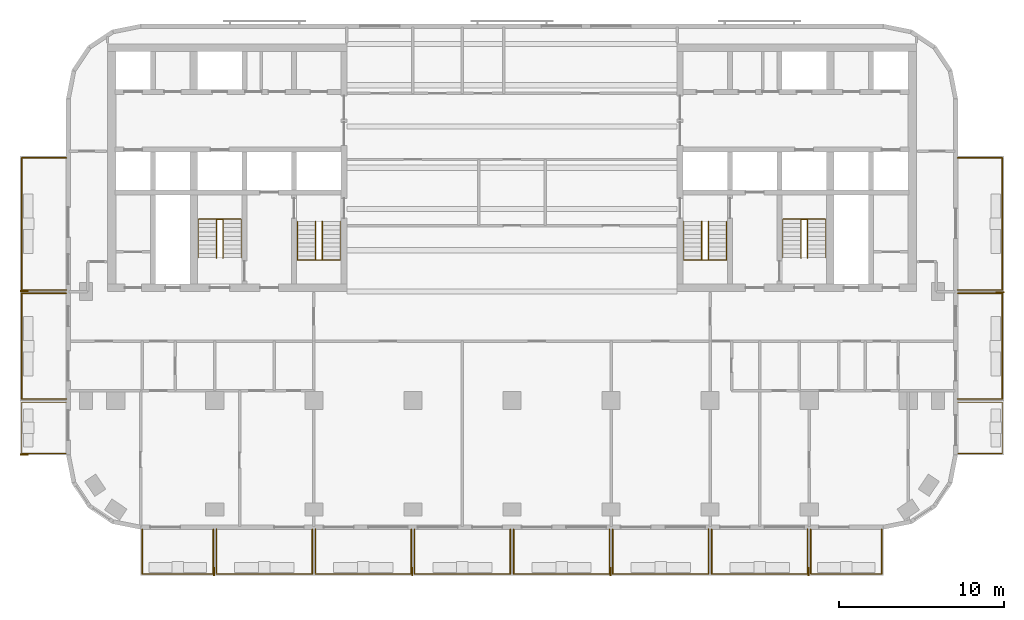
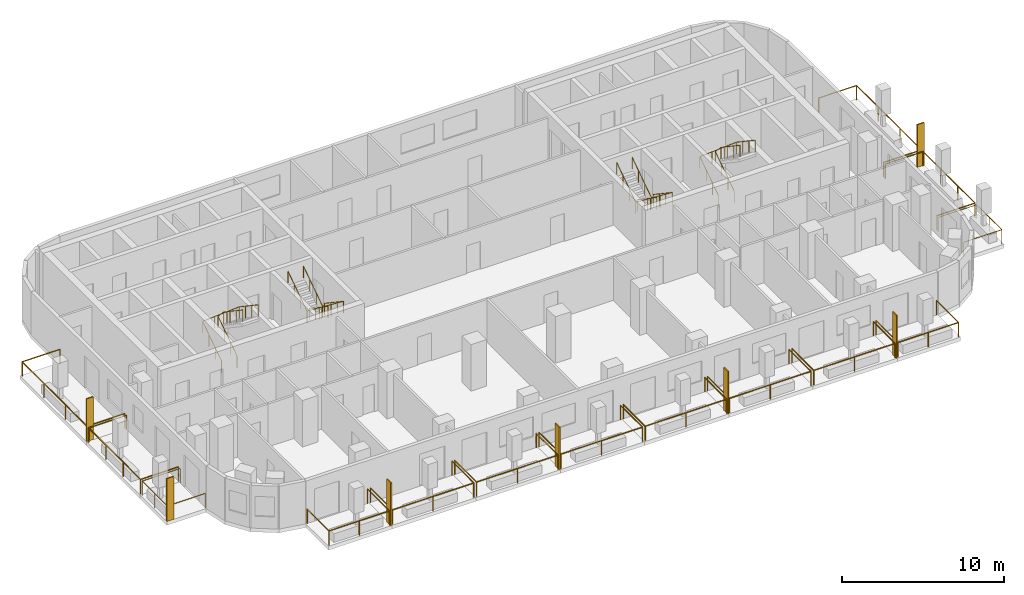
# One storey, part 9 of 11: 22 railings, 7 shading devices.
"""IFC4 building model written with IfcOpenShell, lengths in metres."""

import ifcopenshell
import ifcopenshell.guid

model = None  # the IFC model being written
_history = None  # IfcOwnerHistory: only IFC2X3 demands one
_inside = {}  # id of a spatial element -> (the spatial element, [elements in it])
_under = {}  # id of a project, library or spatial element -> (it, [spatial elements below it])
_declared = {}  # id of a project -> (the project, [libraries it declares])
_typed = {}  # id of a type object -> (the type object, [elements of that type])
_made_of = {}  # id of a material, layer set ... -> (it, [elements and type objects made of it])


def new_model(schema):
    """Start an empty IFC model of exactly this schema.

    Asked for "IFC4X3", IfcOpenShell would pick the latest addendum, in which some entities
    have other attributes; the version numbers below select the first issue.
    IFC2X3 requires an IfcOwnerHistory on every rooted entity: one is made here for all.
    """
    global model, _history
    if schema == "IFC4X3":
        model = ifcopenshell.file(schema_version=(4, 3, 0, 0))
    else:
        model = ifcopenshell.file(schema=schema)
    _inside.clear()
    _under.clear()
    _declared.clear()
    _typed.clear()
    _made_of.clear()
    _history = None
    if model.schema == "IFC2X3":
        org = make("IfcOrganization", Name="unknown")
        user = make(
            "IfcPersonAndOrganization",
            ThePerson=make("IfcPerson", FamilyName="unknown"),
            TheOrganization=org,
        )
        app = make(
            "IfcApplication",
            ApplicationDeveloper=org,
            Version="unknown",
            ApplicationFullName="unknown",
            ApplicationIdentifier="unknown",
        )
        _history = make(
            "IfcOwnerHistory",
            OwningUser=user,
            OwningApplication=app,
            ChangeAction="ADDED",
            CreationDate=0,
        )
    return model


def make(cls, **values):
    """One entity of the class cls with the attributes given. An attribute that is None is left unset."""
    return model.create_entity(
        cls, **{name: value for name, value in values.items() if value is not None}
    )


def rooted(cls, **values):
    """An entity with a GlobalId (a new one), such as an element, a storey or a relation."""
    return make(cls, GlobalId=ifcopenshell.guid.new(), OwnerHistory=_history, **values)


def si_unit(unit_type, name, prefix=None):
    """IfcSIUnit, for example si_unit("LENGTHUNIT", "METRE", prefix="MILLI")."""
    return make("IfcSIUnit", UnitType=unit_type, Prefix=prefix, Name=name)


def assignment(units):
    """IfcUnitAssignment: the units of a project."""
    return None if units is None else make("IfcUnitAssignment", Units=units)


def point(xyz):
    """IfcCartesianPoint."""
    return None if xyz is None else make("IfcCartesianPoint", Coordinates=xyz)


def direction(xyz):
    """IfcDirection."""
    return None if xyz is None else make("IfcDirection", DirectionRatios=xyz)


def frame(location, z_axis=None, x_axis=None):
    """IfcAxis2Placement3D, a coordinate frame: its origin and axes. An axis left out is left unset."""
    return make(
        "IfcAxis2Placement3D",
        Location=point(location),
        Axis=direction(z_axis),
        RefDirection=direction(x_axis),
    )


def frame_2d(location, x_axis=None):
    """IfcAxis2Placement2D, a coordinate frame in the plane: its origin and x axis."""
    return make(
        "IfcAxis2Placement2D", Location=point(location), RefDirection=direction(x_axis)
    )


def origin():
    """The frame at (0, 0, 0) with its axes left unset."""
    return frame((0.0, 0.0, 0.0))


def origin_2d():
    """The frame at (0, 0) in the plane with its x axis left unset."""
    return frame_2d((0.0, 0.0))


def place(relative_to, where):
    """IfcLocalPlacement: puts the frame where relative to a parent placement (None: the world)."""
    return make(
        "IfcLocalPlacement", PlacementRelTo=relative_to, RelativePlacement=where
    )


def context(
    kind, dimensions, precision=None, world=None, true_north=None, identifier=None
):
    """IfcGeometricRepresentationContext, for example the 3D "Model" context."""
    return make(
        "IfcGeometricRepresentationContext",
        ContextIdentifier=identifier,
        ContextType=kind,
        CoordinateSpaceDimension=dimensions,
        Precision=precision,
        WorldCoordinateSystem=world,
        TrueNorth=true_north,
    )


def subcontext(parent, identifier, kind, view, scale=None):
    """IfcGeometricRepresentationSubContext, for example "Body" below "Model"."""
    return make(
        "IfcGeometricRepresentationSubContext",
        ContextIdentifier=identifier,
        ContextType=kind,
        ParentContext=parent,
        TargetScale=scale,
        TargetView=view,
    )


def project(units=None, contexts=None):
    """IfcProject with its units and contexts."""
    return rooted(
        "IfcProject",
        Name="project",
        RepresentationContexts=contexts,
        UnitsInContext=assignment(units),
    )


def spatial(cls, under=None, at=None, **own):
    """A site, building, storey or space (cls), placed at a placement, below another one or the project."""
    s = rooted(cls, ObjectPlacement=at, **own)
    if under is not None:
        _under.setdefault(under.id(), (under, []))[1].append(s)
    return s


def profile(cls, at=None, kind="AREA", **sizes):
    """A parametric profile (cls). Its sizes go by their IFC names, for example OverallWidth=200.0."""
    return make(cls, ProfileType=kind, Position=at, **sizes)


def rectangle(**sizes):
    """IfcRectangleProfileDef."""
    return profile("IfcRectangleProfileDef", **sizes)


def circle(**sizes):
    """IfcCircleProfileDef."""
    return profile("IfcCircleProfileDef", **sizes)


def extrude(swept, where, along, depth):
    """IfcExtrudedAreaSolid: the profile swept, set in the frame where, extruded along a direction by depth."""
    return make(
        "IfcExtrudedAreaSolid",
        SweptArea=swept,
        Position=where,
        ExtrudedDirection=direction(along),
        Depth=depth,
    )


def shape(context_of_items, identifier, shape_type, items):
    """IfcShapeRepresentation: the items that make up one representation, for example the "Body"."""
    return make(
        "IfcShapeRepresentation",
        ContextOfItems=context_of_items,
        RepresentationIdentifier=identifier,
        RepresentationType=shape_type,
        Items=items,
    )


def material(Name=None, Category=None):
    """IfcMaterial."""
    return make("IfcMaterial", Name=Name, Category=Category)


def layer(
    of_material, thickness, ventilated=None, Name=None, Category=None, Priority=None
):
    """IfcMaterialLayer: one layer of a wall or slab, of a material (None: an air gap)."""
    return make(
        "IfcMaterialLayer",
        Material=of_material,
        LayerThickness=thickness,
        IsVentilated=ventilated,
        Name=Name,
        Category=Category,
        Priority=Priority,
    )


def layer_set(layers, Name=None):
    """IfcMaterialLayerSet."""
    return make("IfcMaterialLayerSet", MaterialLayers=layers, LayerSetName=Name)


def made_of(thing, what):
    """Note that an element or type object is made of a material, layer set ...; save() writes the relation."""
    if what is not None:
        _made_of.setdefault(what.id(), (what, []))[1].append(thing)
    return thing


def type_object(cls, material=None, **own):
    """A type object (cls), such as IfcWallType, which elements share."""
    return made_of(rooted(cls, **own), material)


def element(
    cls,
    number,
    at=None,
    inside=None,
    cuts=None,
    type_object=None,
    material=None,
    context=None,
    identifier="Body",
    shape_type=None,
    held_by="IfcProductDefinitionShape",
    body=None,
    shapes=None,
    **own,
):
    """One element of the class cls, such as IfcWall. Its Tag is "e" and its number.

    at: its placement. inside: the storey or other place that contains it. cuts: it is an
    opening in that element (IfcRelVoidsElement). A single representation is given by context,
    identifier, shape_type and body (its items); several are given by shapes. held_by: the class
    of the entity that holds the representations. save() writes the other relations.
    """
    e = rooted(cls, Tag="e%d" % number, ObjectPlacement=at, **own)
    if body is not None:
        shapes = [shape(context, identifier, shape_type, body)]
    if shapes is not None:
        e.Representation = make(held_by, Representations=shapes)
    if inside is not None:
        _inside.setdefault(inside.id(), (inside, []))[1].append(e)
    if cuts is not None:
        rooted(
            "IfcRelVoidsElement", RelatingBuildingElement=cuts, RelatedOpeningElement=e
        )
    if type_object is not None:
        _typed.setdefault(type_object.id(), (type_object, []))[1].append(e)
    return made_of(e, material)


def aggregate(whole, parts):
    """IfcRelAggregates: a whole, such as a stair, and the parts it consists of."""
    return rooted("IfcRelAggregates", RelatingObject=whole, RelatedObjects=parts)


def save(model, path):
    """Write the relations noted so far, then the file.

    IfcRelAggregates (storeys below a building ...), IfcRelContainedInSpatialStructure (elements
    in a storey), IfcRelDefinesByType, IfcRelAssociatesMaterial and IfcRelDeclares: one each for
    every whole, place, type object, material and project.
    """
    for whole, parts in _under.values():
        aggregate(whole, parts)
    for where, things in _inside.values():
        rooted(
            "IfcRelContainedInSpatialStructure",
            RelatedElements=things,
            RelatingStructure=where,
        )
    for kind, things in _typed.values():
        rooted("IfcRelDefinesByType", RelatedObjects=things, RelatingType=kind)
    for what, things in _made_of.values():
        rooted("IfcRelAssociatesMaterial", RelatedObjects=things, RelatingMaterial=what)
    for by, libraries in _declared.values():
        rooted("IfcRelDeclares", RelatingContext=by, RelatedDefinitions=libraries)
    model.write(path)


model = new_model("IFC4")

# Units and contexts
model_context = context("Model", 3, precision=1e-05, world=origin(), true_north=direction((0.0, 1.0)))
body_context = subcontext(model_context, "Body", "Model", "MODEL_VIEW")
ifc_project = project(units=[si_unit("LENGTHUNIT", "METRE"), si_unit("AREAUNIT", "SQUARE_METRE"), si_unit("VOLUMEUNIT", "CUBIC_METRE"), si_unit("PLANEANGLEUNIT", "RADIAN"), si_unit("MASSUNIT", "GRAM", prefix="KILO")], contexts=[model_context])

# Site, building, storey
site_placement = place(None, origin())
site = spatial("IfcSite", under=ifc_project, at=site_placement, CompositionType="ELEMENT")
building_placement = place(site_placement, origin())
building = spatial("IfcBuilding", under=site, at=building_placement, Name="Torana Hotel and Residences", CompositionType="ELEMENT")
storey_placement = place(building_placement, frame((0.0, 0.0, 225.60009765625)))
storey = spatial("IfcBuildingStorey", under=building, at=storey_placement, Name="L59", CompositionType="ELEMENT", Elevation=225.60009765625)

# Shading devices
ifc_material_1 = material(Name="Black powder coated aluminium", Category="aluminium")
ifc_layer = layer(ifc_material_1, 0.080078125)
ifc_layer_set = layer_set([ifc_layer], Name="FN1 VERTICAL FIN 500x80")
shading_device_type = type_object("IfcShadingDeviceType", Name="FN1 VERTICAL FIN 500x80", PredefinedType="USERDEFINED", material=ifc_layer_set)
for number, where, z_axis, x_axis, name in (
    (1, (-18.0400390625, -31.949951171875, 0.0), (0.0, 0.0, 1.0), (-1.0, 0.0, 0.0), "Fin 01"),
    (2, (-6.0400390625, -31.949951171875, 0.0), (0.0, 0.0, 1.0), (-1.0, 0.0, 0.0), "Fin 03"),
    (3, (5.9599609375, -31.949951171875, 0.0), (0.0, 0.0, 1.0), (-1.0, 0.0, 0.0), "Fin 05"),
    (4, (17.9599609375, -31.949951171875, 0.0), (0.0, 0.0, 1.0), (-1.0, 0.0, 0.0), "Fin 07"),
    (5, (-29.550048828125, -24.860107421875, 0.0), (0.0, 0.0, 1.0), (0.0, 1.0, 0.0), "Fin 09"),
    (6, (-29.550048828125, -14.9599609375, 0.0), (0.0, 0.0, 1.0), (0.0, 1.0, 0.0), "Fin 11"),
    (7, (29.550048828125, -15.0400390625, 0.0), (0.0, 0.0, 1.0), (0.0, -1.0, 0.0), "Fin 13"),
):
    element("IfcShadingDevice", number, at=place(storey_placement, frame(where, z_axis=z_axis, x_axis=x_axis)), inside=storey, type_object=shading_device_type, Name=name, ObjectType="FIN", PredefinedType="USERDEFINED", context=body_context, shape_type="SweptSolid", body=[
        extrude(rectangle(XDim=0.080078125, YDim=0.5, at=origin_2d()), origin(), (0.0, 0.0, 1.0), 3.219970703125),
    ])

# Railings
ifc_material_2 = material(Name="Laminated glass balustrade with black handrail", Category="glass")
railing_type_1 = type_object("IfcRailingType", Name="GR1 BALCONY GUARD 1100 GLASS", PredefinedType="GUARDRAIL", material=ifc_material_2)
railing_1_placement = place(storey_placement, frame((-18.10009765625, -29.39990234375, 0.0)))
element("IfcRailing", 8, at=railing_1_placement, inside=storey, type_object=railing_type_1, Name="Balcony guard 01", PredefinedType="GUARDRAIL", context=body_context, shape_type="SweptSolid", body=[
    extrude(circle(Radius=0.02392578125, at=origin_2d()), frame((0.0, 0.0, 1.076171875), z_axis=(0.0, -1.0, 0.0), x_axis=(1.0, 0.0, 0.0)), (0.0, 0.0, 1.0), 2.7001953125),
    extrude(circle(Radius=0.02392578125, at=origin_2d()), frame((0.0, -2.7001953125, 1.076171875), z_axis=(-1.0, 0.0, 0.0), x_axis=(0.0, -1.0, 0.0)), (0.0, 0.0, 1.0), 4.2998046875),
    extrude(circle(Radius=0.02392578125, at=origin_2d()), frame((-4.2998046875, -2.7001953125, 1.076171875), z_axis=(0.0, 1.0, 0.0), x_axis=(-1.0, 0.0, 0.0)), (0.0, 0.0, 1.0), 2.7001953125),
    extrude(circle(Radius=0.02099609375, at=origin_2d()), origin(), (0.0, 0.0, 1.0), 1.052001953125),
    extrude(circle(Radius=0.02099609375, at=origin_2d()), frame((0.0, -2.7001953125, 0.0)), (0.0, 0.0, 1.0), 1.052001953125),
    extrude(circle(Radius=0.02099609375, at=origin_2d()), frame((-2.14990234375, -2.7001953125, 0.0)), (0.0, 0.0, 1.0), 1.052001953125),
    extrude(circle(Radius=0.02099609375, at=origin_2d()), frame((-4.2998046875, -2.7001953125, 0.0)), (0.0, 0.0, 1.0), 1.052001953125),
    extrude(circle(Radius=0.02099609375, at=origin_2d()), frame((-4.2998046875, 0.0, 0.0)), (0.0, 0.0, 1.0), 1.052001953125),
])
for number, where, name in (
    (9, (-12.10009765625, -29.39990234375, 0.0), "Balcony guard 02"),
    (10, (-6.10009765625, -29.39990234375, 0.0), "Balcony guard 03"),
    (11, (-0.10009765625, -29.39990234375, 0.0), "Balcony guard 04"),
    (12, (5.89990234375, -29.39990234375, 0.0), "Balcony guard 05"),
    (13, (11.89990234375, -29.39990234375, 0.0), "Balcony guard 06"),
    (14, (17.89990234375, -29.39990234375, 0.0), "Balcony guard 07"),
):
    element("IfcRailing", number, at=place(storey_placement, frame(where)), inside=storey, type_object=railing_type_1, Name=name, PredefinedType="GUARDRAIL", context=body_context, shape_type="SweptSolid", body=[
        extrude(circle(Radius=0.02392578125, at=origin_2d()), frame((0.0, 0.0, 1.076171875), z_axis=(0.0, -1.0, 0.0), x_axis=(1.0, 0.0, 0.0)), (0.0, 0.0, 1.0), 2.7001953125),
        extrude(circle(Radius=0.02392578125, at=origin_2d()), frame((0.0, -2.7001953125, 1.076171875), z_axis=(-1.0, 0.0, 0.0), x_axis=(0.0, -1.0, 0.0)), (0.0, 0.0, 1.0), 5.7998046875),
        extrude(circle(Radius=0.02392578125, at=origin_2d()), frame((-5.7998046875, -2.7001953125, 1.076171875), z_axis=(0.0, 1.0, 0.0), x_axis=(-1.0, 0.0, 0.0)), (0.0, 0.0, 1.0), 2.7001953125),
        extrude(circle(Radius=0.02099609375, at=origin_2d()), origin(), (0.0, 0.0, 1.0), 1.052001953125),
        extrude(circle(Radius=0.02099609375, at=origin_2d()), frame((0.0, -2.7001953125, 0.0)), (0.0, 0.0, 1.0), 1.052001953125),
        extrude(circle(Radius=0.02099609375, at=origin_2d()), frame((-2.89990234375, -2.7001953125, 0.0)), (0.0, 0.0, 1.0), 1.052001953125),
        extrude(circle(Radius=0.02099609375, at=origin_2d()), frame((-5.7998046875, -2.7001953125, 0.0)), (0.0, 0.0, 1.0), 1.052001953125),
        extrude(circle(Radius=0.02099609375, at=origin_2d()), frame((-5.7998046875, 0.0, 0.0)), (0.0, 0.0, 1.0), 1.052001953125),
    ])
railing_2_placement = place(storey_placement, frame((22.39990234375, -29.39990234375, 0.0)))
element("IfcRailing", 15, at=railing_2_placement, inside=storey, type_object=railing_type_1, Name="Balcony guard 08", PredefinedType="GUARDRAIL", context=body_context, shape_type="SweptSolid", body=[
    extrude(circle(Radius=0.02392578125, at=origin_2d()), frame((0.0, 0.0, 1.076171875), z_axis=(0.0, -1.0, 0.0), x_axis=(1.0, 0.0, 0.0)), (0.0, 0.0, 1.0), 2.7001953125),
    extrude(circle(Radius=0.02392578125, at=origin_2d()), frame((0.0, -2.7001953125, 1.076171875), z_axis=(-1.0, 0.0, 0.0), x_axis=(0.0, -1.0, 0.0)), (0.0, 0.0, 1.0), 4.2998046875),
    extrude(circle(Radius=0.02392578125, at=origin_2d()), frame((-4.2998046875, -2.7001953125, 1.076171875), z_axis=(0.0, 1.0, 0.0), x_axis=(-1.0, 0.0, 0.0)), (0.0, 0.0, 1.0), 2.7001953125),
    extrude(circle(Radius=0.02099609375, at=origin_2d()), origin(), (0.0, 0.0, 1.0), 1.052001953125),
    extrude(circle(Radius=0.02099609375, at=origin_2d()), frame((0.0, -2.7001953125, 0.0)), (0.0, 0.0, 1.0), 1.052001953125),
    extrude(circle(Radius=0.02099609375, at=origin_2d()), frame((-2.14990234375, -2.7001953125, 0.0)), (0.0, 0.0, 1.0), 1.052001953125),
    extrude(circle(Radius=0.02099609375, at=origin_2d()), frame((-4.2998046875, -2.7001953125, 0.0)), (0.0, 0.0, 1.0), 1.052001953125),
    extrude(circle(Radius=0.02099609375, at=origin_2d()), frame((-4.2998046875, 0.0, 0.0)), (0.0, 0.0, 1.0), 1.052001953125),
])
railing_3_placement = place(storey_placement, frame((-27.0, -24.800048828125, 0.0)))
element("IfcRailing", 16, at=railing_3_placement, inside=storey, type_object=railing_type_1, Name="Balcony guard 09", PredefinedType="GUARDRAIL", context=body_context, shape_type="SweptSolid", body=[
    extrude(circle(Radius=0.02392578125, at=origin_2d()), frame((0.0, 0.0, 1.076171875), z_axis=(-1.0, 0.0, 0.0), x_axis=(0.0, -1.0, 0.0)), (0.0, 0.0, 1.0), 2.699951171875),
    extrude(circle(Radius=0.02392578125, at=origin_2d()), frame((-2.699951171875, 0.0, 1.076171875), z_axis=(0.0, 1.0, 0.0), x_axis=(-1.0, 0.0, 0.0)), (0.0, 0.0, 1.0), 3.10009765625),
    extrude(circle(Radius=0.02392578125, at=origin_2d()), frame((-2.699951171875, 3.10009765625, 1.076171875), z_axis=(1.0, 0.0, 0.0), x_axis=(0.0, 1.0, 0.0)), (0.0, 0.0, 1.0), 2.699951171875),
    extrude(circle(Radius=0.02099609375, at=origin_2d()), origin(), (0.0, 0.0, 1.0), 1.052001953125),
    extrude(circle(Radius=0.02099609375, at=origin_2d()), frame((-2.699951171875, 0.0, 0.0)), (0.0, 0.0, 1.0), 1.052001953125),
    extrude(circle(Radius=0.02099609375, at=origin_2d()), frame((-2.699951171875, 1.550048828125, 0.0)), (0.0, 0.0, 1.0), 1.052001953125),
    extrude(circle(Radius=0.02099609375, at=origin_2d()), frame((-2.699951171875, 3.10009765625, 0.0)), (0.0, 0.0, 1.0), 1.052001953125),
    extrude(circle(Radius=0.02099609375, at=origin_2d()), frame((0.0, 3.10009765625, 0.0)), (0.0, 0.0, 1.0), 1.052001953125),
])
railing_4_placement = place(storey_placement, frame((-27.0, -21.5, 0.0)))
element("IfcRailing", 17, at=railing_4_placement, inside=storey, type_object=railing_type_1, Name="Balcony guard 10", PredefinedType="GUARDRAIL", context=body_context, shape_type="SweptSolid", body=[
    extrude(circle(Radius=0.02392578125, at=origin_2d()), frame((0.0, 0.0, 1.076171875), z_axis=(-1.0, 0.0, 0.0), x_axis=(0.0, -1.0, 0.0)), (0.0, 0.0, 1.0), 2.699951171875),
    extrude(circle(Radius=0.02392578125, at=origin_2d()), frame((-2.699951171875, 0.0, 1.076171875), z_axis=(0.0, 1.0, 0.0), x_axis=(-1.0, 0.0, 0.0)), (0.0, 0.0, 1.0), 6.39990234375),
    extrude(circle(Radius=0.02392578125, at=origin_2d()), frame((-2.699951171875, 6.39990234375, 1.076171875), z_axis=(1.0, 0.0, 0.0), x_axis=(0.0, 1.0, 0.0)), (0.0, 0.0, 1.0), 2.699951171875),
    extrude(circle(Radius=0.02099609375, at=origin_2d()), origin(), (0.0, 0.0, 1.0), 1.052001953125),
    extrude(circle(Radius=0.02099609375, at=origin_2d()), frame((-2.699951171875, 0.0, 0.0)), (0.0, 0.0, 1.0), 1.052001953125),
    extrude(circle(Radius=0.02099609375, at=origin_2d()), frame((-2.699951171875, 2.13330078125, 0.0)), (0.0, 0.0, 1.0), 1.052001953125),
    extrude(circle(Radius=0.02099609375, at=origin_2d()), frame((-2.699951171875, 4.2666015625, 0.0)), (0.0, 0.0, 1.0), 1.052001953125),
    extrude(circle(Radius=0.02099609375, at=origin_2d()), frame((-2.699951171875, 6.39990234375, 0.0)), (0.0, 0.0, 1.0), 1.052001953125),
    extrude(circle(Radius=0.02099609375, at=origin_2d()), frame((0.0, 6.39990234375, 0.0)), (0.0, 0.0, 1.0), 1.052001953125),
])
railing_5_placement = place(storey_placement, frame((-27.0, -14.89990234375, 0.0)))
element("IfcRailing", 18, at=railing_5_placement, inside=storey, type_object=railing_type_1, Name="Balcony guard 11", PredefinedType="GUARDRAIL", context=body_context, shape_type="SweptSolid", body=[
    extrude(circle(Radius=0.02392578125, at=origin_2d()), frame((0.0, 0.0, 1.076171875), z_axis=(-1.0, 0.0, 0.0), x_axis=(0.0, -1.0, 0.0)), (0.0, 0.0, 1.0), 2.699951171875),
    extrude(circle(Radius=0.02392578125, at=origin_2d()), frame((-2.699951171875, 0.0, 1.076171875), z_axis=(0.0, 1.0, 0.0), x_axis=(-1.0, 0.0, 0.0)), (0.0, 0.0, 1.0), 8.0),
    extrude(circle(Radius=0.02392578125, at=origin_2d()), frame((-2.699951171875, 8.0, 1.076171875), z_axis=(1.0, 0.0, 0.0), x_axis=(0.0, 1.0, 0.0)), (0.0, 0.0, 1.0), 2.699951171875),
    extrude(circle(Radius=0.02099609375, at=origin_2d()), origin(), (0.0, 0.0, 1.0), 1.052001953125),
    extrude(circle(Radius=0.02099609375, at=origin_2d()), frame((-2.699951171875, 0.0, 0.0)), (0.0, 0.0, 1.0), 1.052001953125),
    extrude(circle(Radius=0.02099609375, at=origin_2d()), frame((-2.699951171875, 2.666748046875, 0.0)), (0.0, 0.0, 1.0), 1.052001953125),
    extrude(circle(Radius=0.02099609375, at=origin_2d()), frame((-2.699951171875, 5.333251953125, 0.0)), (0.0, 0.0, 1.0), 1.052001953125),
    extrude(circle(Radius=0.02099609375, at=origin_2d()), frame((-2.699951171875, 8.0, 0.0)), (0.0, 0.0, 1.0), 1.052001953125),
    extrude(circle(Radius=0.02099609375, at=origin_2d()), frame((0.0, 8.0, 0.0)), (0.0, 0.0, 1.0), 1.052001953125),
])
railing_6_placement = place(storey_placement, frame((27.0, -21.699951171875, 0.0)))
element("IfcRailing", 19, at=railing_6_placement, inside=storey, type_object=railing_type_1, Name="Balcony guard 12", PredefinedType="GUARDRAIL", context=body_context, shape_type="SweptSolid", body=[
    extrude(circle(Radius=0.02392578125, at=origin_2d()), frame((0.0, 0.0, 1.076171875), z_axis=(1.0, 0.0, 0.0), x_axis=(0.0, 1.0, 0.0)), (0.0, 0.0, 1.0), 2.699951171875),
    extrude(circle(Radius=0.02392578125, at=origin_2d()), frame((2.699951171875, 0.0, 1.076171875), z_axis=(0.0, -1.0, 0.0), x_axis=(1.0, 0.0, 0.0)), (0.0, 0.0, 1.0), 3.10009765625),
    extrude(circle(Radius=0.02392578125, at=origin_2d()), frame((2.699951171875, -3.10009765625, 1.076171875), z_axis=(-1.0, 0.0, 0.0), x_axis=(0.0, -1.0, 0.0)), (0.0, 0.0, 1.0), 2.699951171875),
    extrude(circle(Radius=0.02099609375, at=origin_2d()), origin(), (0.0, 0.0, 1.0), 1.052001953125),
    extrude(circle(Radius=0.02099609375, at=origin_2d()), frame((2.699951171875, 0.0, 0.0)), (0.0, 0.0, 1.0), 1.052001953125),
    extrude(circle(Radius=0.02099609375, at=origin_2d()), frame((2.699951171875, -1.550048828125, 0.0)), (0.0, 0.0, 1.0), 1.052001953125),
    extrude(circle(Radius=0.02099609375, at=origin_2d()), frame((2.699951171875, -3.10009765625, 0.0)), (0.0, 0.0, 1.0), 1.052001953125),
    extrude(circle(Radius=0.02099609375, at=origin_2d()), frame((0.0, -3.10009765625, 0.0)), (0.0, 0.0, 1.0), 1.052001953125),
])
railing_7_placement = place(storey_placement, frame((27.0, -15.10009765625, 0.0)))
element("IfcRailing", 20, at=railing_7_placement, inside=storey, type_object=railing_type_1, Name="Balcony guard 13", PredefinedType="GUARDRAIL", context=body_context, shape_type="SweptSolid", body=[
    extrude(circle(Radius=0.02392578125, at=origin_2d()), frame((0.0, 0.0, 1.076171875), z_axis=(1.0, 0.0, 0.0), x_axis=(0.0, 1.0, 0.0)), (0.0, 0.0, 1.0), 2.699951171875),
    extrude(circle(Radius=0.02392578125, at=origin_2d()), frame((2.699951171875, 0.0, 1.076171875), z_axis=(0.0, -1.0, 0.0), x_axis=(1.0, 0.0, 0.0)), (0.0, 0.0, 1.0), 6.39990234375),
    extrude(circle(Radius=0.02392578125, at=origin_2d()), frame((2.699951171875, -6.39990234375, 1.076171875), z_axis=(-1.0, 0.0, 0.0), x_axis=(0.0, -1.0, 0.0)), (0.0, 0.0, 1.0), 2.699951171875),
    extrude(circle(Radius=0.02099609375, at=origin_2d()), origin(), (0.0, 0.0, 1.0), 1.052001953125),
    extrude(circle(Radius=0.02099609375, at=origin_2d()), frame((2.699951171875, 0.0, 0.0)), (0.0, 0.0, 1.0), 1.052001953125),
    extrude(circle(Radius=0.02099609375, at=origin_2d()), frame((2.699951171875, -2.13330078125, 0.0)), (0.0, 0.0, 1.0), 1.052001953125),
    extrude(circle(Radius=0.02099609375, at=origin_2d()), frame((2.699951171875, -4.2666015625, 0.0)), (0.0, 0.0, 1.0), 1.052001953125),
    extrude(circle(Radius=0.02099609375, at=origin_2d()), frame((2.699951171875, -6.39990234375, 0.0)), (0.0, 0.0, 1.0), 1.052001953125),
    extrude(circle(Radius=0.02099609375, at=origin_2d()), frame((0.0, -6.39990234375, 0.0)), (0.0, 0.0, 1.0), 1.052001953125),
])
railing_8_placement = place(storey_placement, frame((27.0, -6.89990234375, 0.0)))
element("IfcRailing", 21, at=railing_8_placement, inside=storey, type_object=railing_type_1, Name="Balcony guard 14", PredefinedType="GUARDRAIL", context=body_context, shape_type="SweptSolid", body=[
    extrude(circle(Radius=0.02392578125, at=origin_2d()), frame((0.0, 0.0, 1.076171875), z_axis=(1.0, 0.0, 0.0), x_axis=(0.0, 1.0, 0.0)), (0.0, 0.0, 1.0), 2.699951171875),
    extrude(circle(Radius=0.02392578125, at=origin_2d()), frame((2.699951171875, 0.0, 1.076171875), z_axis=(0.0, -1.0, 0.0), x_axis=(1.0, 0.0, 0.0)), (0.0, 0.0, 1.0), 8.0),
    extrude(circle(Radius=0.02392578125, at=origin_2d()), frame((2.699951171875, -8.0, 1.076171875), z_axis=(-1.0, 0.0, 0.0), x_axis=(0.0, -1.0, 0.0)), (0.0, 0.0, 1.0), 2.699951171875),
    extrude(circle(Radius=0.02099609375, at=origin_2d()), origin(), (0.0, 0.0, 1.0), 1.052001953125),
    extrude(circle(Radius=0.02099609375, at=origin_2d()), frame((2.699951171875, 0.0, 0.0)), (0.0, 0.0, 1.0), 1.052001953125),
    extrude(circle(Radius=0.02099609375, at=origin_2d()), frame((2.699951171875, -2.666748046875, 0.0)), (0.0, 0.0, 1.0), 1.052001953125),
    extrude(circle(Radius=0.02099609375, at=origin_2d()), frame((2.699951171875, -5.333251953125, 0.0)), (0.0, 0.0, 1.0), 1.052001953125),
    extrude(circle(Radius=0.02099609375, at=origin_2d()), frame((2.699951171875, -8.0, 0.0)), (0.0, 0.0, 1.0), 1.052001953125),
    extrude(circle(Radius=0.02099609375, at=origin_2d()), frame((0.0, -8.0, 0.0)), (0.0, 0.0, 1.0), 1.052001953125),
])
ifc_material_3 = material(Name="Stainless steel 316", Category="steel")
railing_type_2 = type_object("IfcRailingType", Name="STAIR HANDRAIL HR1 900", PredefinedType="HANDRAIL", material=ifc_material_3)
railing_9_placement = place(storey_placement, frame((-10.39990234375, -10.75, 0.1748046875)))
element("IfcRailing", 22, at=railing_9_placement, inside=storey, type_object=railing_type_2, Name="Handrail ST1 L59 O1", PredefinedType="HANDRAIL", context=body_context, shape_type="SweptSolid", body=[
    extrude(circle(Radius=0.02392578125, at=origin_2d()), frame((0.0, 0.0, 0.8759765625), z_axis=(0.0, -0.829565388462, 0.558409586474), x_axis=(1.0, 0.0, 0.0)), (0.0, 0.0, 1.0), 2.82080078125),
    extrude(circle(Radius=0.02392578125, at=origin_2d()), frame((0.0, -2.340087890625, 2.451171875), z_axis=(-0.997747692642, 0.0, 0.067078624219), x_axis=(0.0, -1.0, 0.0)), (0.0, 0.0, 1.0), 2.60595703125),
    extrude(circle(Radius=0.02392578125, at=origin_2d()), frame((-2.60009765625, -2.340087890625, 2.6259765625), z_axis=(0.0, 0.829565388462, 0.558409586474), x_axis=(-1.0, 0.0, 0.0)), (0.0, 0.0, 1.0), 2.82080078125),
    extrude(circle(Radius=0.02099609375, at=origin_2d()), origin(), (0.0, 0.0, 1.0), 0.851806640625),
    extrude(circle(Radius=0.02099609375, at=origin_2d()), frame((0.0, -0.780029296875, 0.525146484375)), (0.0, 0.0, 1.0), 0.851806640625),
    extrude(circle(Radius=0.02099609375, at=origin_2d()), frame((0.0, -1.56005859375, 1.050048828125)), (0.0, 0.0, 1.0), 0.851806640625),
    extrude(circle(Radius=0.02099609375, at=origin_2d()), frame((0.0, -2.340087890625, 1.5751953125)), (0.0, 0.0, 1.0), 0.851806640625),
    extrude(circle(Radius=0.02099609375, at=origin_2d()), frame((-0.86669921875, -2.340087890625, 1.633544921875)), (0.0, 0.0, 1.0), 0.851806640625),
    extrude(circle(Radius=0.02099609375, at=origin_2d()), frame((-1.7333984375, -2.340087890625, 1.691650390625)), (0.0, 0.0, 1.0), 0.851806640625),
    extrude(circle(Radius=0.02099609375, at=origin_2d()), frame((-2.60009765625, -2.340087890625, 1.75)), (0.0, 0.0, 1.0), 0.851806640625),
    extrude(circle(Radius=0.02099609375, at=origin_2d()), frame((-2.60009765625, -1.56005859375, 2.275146484375)), (0.0, 0.0, 1.0), 0.851806640625),
    extrude(circle(Radius=0.02099609375, at=origin_2d()), frame((-2.60009765625, -0.780029296875, 2.800048828125)), (0.0, 0.0, 1.0), 0.851806640625),
    extrude(circle(Radius=0.02099609375, at=origin_2d()), frame((-2.60009765625, 0.0, 3.3251953125)), (0.0, 0.0, 1.0), 0.851806640625),
])
railing_10_placement = place(storey_placement, frame((-11.5, -10.75, 0.1748046875)))
element("IfcRailing", 23, at=railing_10_placement, inside=storey, type_object=railing_type_2, Name="Handrail ST1 L59 I1", PredefinedType="HANDRAIL", context=body_context, shape_type="SweptSolid", body=[
    extrude(circle(Radius=0.02392578125, at=origin_2d()), frame((0.0, 0.0, 0.8759765625), z_axis=(0.0, -0.829565388462, 0.558409586474), x_axis=(1.0, 0.0, 0.0)), (0.0, 0.0, 1.0), 2.82080078125),
    extrude(circle(Radius=0.02392578125, at=origin_2d()), frame((0.0, -2.340087890625, 2.451171875), z_axis=(-0.916285673175, 0.0, 0.400525361412), x_axis=(0.0, -1.0, 0.0)), (0.0, 0.0, 1.0), 0.4365234375),
    extrude(circle(Radius=0.02392578125, at=origin_2d()), frame((-0.39990234375, -2.340087890625, 2.6259765625), z_axis=(0.0, 0.829565388462, 0.558409586474), x_axis=(-1.0, 0.0, 0.0)), (0.0, 0.0, 1.0), 2.82080078125),
    extrude(circle(Radius=0.02099609375, at=origin_2d()), origin(), (0.0, 0.0, 1.0), 0.851806640625),
    extrude(circle(Radius=0.02099609375, at=origin_2d()), frame((0.0, -0.780029296875, 0.525146484375)), (0.0, 0.0, 1.0), 0.851806640625),
    extrude(circle(Radius=0.02099609375, at=origin_2d()), frame((0.0, -1.56005859375, 1.050048828125)), (0.0, 0.0, 1.0), 0.851806640625),
    extrude(circle(Radius=0.02099609375, at=origin_2d()), frame((0.0, -2.340087890625, 1.5751953125)), (0.0, 0.0, 1.0), 0.851806640625),
    extrude(circle(Radius=0.02099609375, at=origin_2d()), frame((-0.39990234375, -2.340087890625, 1.75)), (0.0, 0.0, 1.0), 0.851806640625),
    extrude(circle(Radius=0.02099609375, at=origin_2d()), frame((-0.39990234375, -1.56005859375, 2.275146484375)), (0.0, 0.0, 1.0), 0.851806640625),
    extrude(circle(Radius=0.02099609375, at=origin_2d()), frame((-0.39990234375, -0.780029296875, 2.800048828125)), (0.0, 0.0, 1.0), 0.851806640625),
    extrude(circle(Radius=0.02099609375, at=origin_2d()), frame((-0.39990234375, 0.0, 3.3251953125)), (0.0, 0.0, 1.0), 0.851806640625),
])
railing_11_placement = place(storey_placement, frame((-19.0, -12.949951171875, 0.1748046875)))
element("IfcRailing", 24, at=railing_11_placement, inside=storey, type_object=railing_type_2, Name="Handrail ST2 L59 O1", PredefinedType="HANDRAIL", context=body_context, shape_type="SweptSolid", body=[
    extrude(circle(Radius=0.02392578125, at=origin_2d()), frame((0.0, 0.0, 0.8759765625), z_axis=(0.0, 0.829538397957, 0.558449681095), x_axis=(-1.0, 0.0, 0.0)), (0.0, 0.0, 1.0), 2.820556640625),
    extrude(circle(Radius=0.02392578125, at=origin_2d()), frame((0.0, 2.33984375, 2.451171875), z_axis=(0.997747692642, 0.0, 0.067078624219), x_axis=(0.0, 1.0, 0.0)), (0.0, 0.0, 1.0), 2.60595703125),
    extrude(circle(Radius=0.02392578125, at=origin_2d()), frame((2.60009765625, 2.33984375, 2.6259765625), z_axis=(0.0, -0.829538397957, 0.558449681095), x_axis=(1.0, 0.0, 0.0)), (0.0, 0.0, 1.0), 2.820556640625),
    extrude(circle(Radius=0.02099609375, at=origin_2d()), origin(), (0.0, 0.0, 1.0), 0.851806640625),
    extrude(circle(Radius=0.02099609375, at=origin_2d()), frame((0.0, 0.780029296875, 0.525146484375)), (0.0, 0.0, 1.0), 0.851806640625),
    extrude(circle(Radius=0.02099609375, at=origin_2d()), frame((0.0, 1.559814453125, 1.050048828125)), (0.0, 0.0, 1.0), 0.851806640625),
    extrude(circle(Radius=0.02099609375, at=origin_2d()), frame((0.0, 2.33984375, 1.5751953125)), (0.0, 0.0, 1.0), 0.851806640625),
    extrude(circle(Radius=0.02099609375, at=origin_2d()), frame((0.86669921875, 2.33984375, 1.633544921875)), (0.0, 0.0, 1.0), 0.851806640625),
    extrude(circle(Radius=0.02099609375, at=origin_2d()), frame((1.7333984375, 2.33984375, 1.691650390625)), (0.0, 0.0, 1.0), 0.851806640625),
    extrude(circle(Radius=0.02099609375, at=origin_2d()), frame((2.60009765625, 2.33984375, 1.75)), (0.0, 0.0, 1.0), 0.851806640625),
    extrude(circle(Radius=0.02099609375, at=origin_2d()), frame((2.60009765625, 1.559814453125, 2.275146484375)), (0.0, 0.0, 1.0), 0.851806640625),
    extrude(circle(Radius=0.02099609375, at=origin_2d()), frame((2.60009765625, 0.780029296875, 2.800048828125)), (0.0, 0.0, 1.0), 0.851806640625),
    extrude(circle(Radius=0.02099609375, at=origin_2d()), frame((2.60009765625, 0.0, 3.3251953125)), (0.0, 0.0, 1.0), 0.851806640625),
])
railing_12_placement = place(storey_placement, frame((-17.89990234375, -12.949951171875, 0.1748046875)))
element("IfcRailing", 25, at=railing_12_placement, inside=storey, type_object=railing_type_2, Name="Handrail ST2 L59 I1", PredefinedType="HANDRAIL", context=body_context, shape_type="SweptSolid", body=[
    extrude(circle(Radius=0.02392578125, at=origin_2d()), frame((0.0, 0.0, 0.8759765625), z_axis=(0.0, 0.829538397957, 0.558449681095), x_axis=(-1.0, 0.0, 0.0)), (0.0, 0.0, 1.0), 2.820556640625),
    extrude(circle(Radius=0.02392578125, at=origin_2d()), frame((0.0, 2.33984375, 2.451171875), z_axis=(0.916285673175, 0.0, 0.400525361412), x_axis=(0.0, 1.0, 0.0)), (0.0, 0.0, 1.0), 0.4365234375),
    extrude(circle(Radius=0.02392578125, at=origin_2d()), frame((0.39990234375, 2.33984375, 2.6259765625), z_axis=(0.0, -0.829538397957, 0.558449681095), x_axis=(1.0, 0.0, 0.0)), (0.0, 0.0, 1.0), 2.820556640625),
    extrude(circle(Radius=0.02099609375, at=origin_2d()), origin(), (0.0, 0.0, 1.0), 0.851806640625),
    extrude(circle(Radius=0.02099609375, at=origin_2d()), frame((0.0, 0.780029296875, 0.525146484375)), (0.0, 0.0, 1.0), 0.851806640625),
    extrude(circle(Radius=0.02099609375, at=origin_2d()), frame((0.0, 1.559814453125, 1.050048828125)), (0.0, 0.0, 1.0), 0.851806640625),
    extrude(circle(Radius=0.02099609375, at=origin_2d()), frame((0.0, 2.33984375, 1.5751953125)), (0.0, 0.0, 1.0), 0.851806640625),
    extrude(circle(Radius=0.02099609375, at=origin_2d()), frame((0.39990234375, 2.33984375, 1.75)), (0.0, 0.0, 1.0), 0.851806640625),
    extrude(circle(Radius=0.02099609375, at=origin_2d()), frame((0.39990234375, 1.559814453125, 2.275146484375)), (0.0, 0.0, 1.0), 0.851806640625),
    extrude(circle(Radius=0.02099609375, at=origin_2d()), frame((0.39990234375, 0.780029296875, 2.800048828125)), (0.0, 0.0, 1.0), 0.851806640625),
    extrude(circle(Radius=0.02099609375, at=origin_2d()), frame((0.39990234375, 0.0, 3.3251953125)), (0.0, 0.0, 1.0), 0.851806640625),
])
railing_13_placement = place(storey_placement, frame((13.0, -10.75, 0.1748046875)))
element("IfcRailing", 26, at=railing_13_placement, inside=storey, type_object=railing_type_2, Name="Handrail ST3 L59 O1", PredefinedType="HANDRAIL", context=body_context, shape_type="SweptSolid", body=[
    extrude(circle(Radius=0.02392578125, at=origin_2d()), frame((0.0, 0.0, 0.8759765625), z_axis=(0.0, -0.829565388462, 0.558409586474), x_axis=(1.0, 0.0, 0.0)), (0.0, 0.0, 1.0), 2.82080078125),
    extrude(circle(Radius=0.02392578125, at=origin_2d()), frame((0.0, -2.340087890625, 2.451171875), z_axis=(-0.997747692642, 0.0, 0.067078624219), x_axis=(0.0, -1.0, 0.0)), (0.0, 0.0, 1.0), 2.60595703125),
    extrude(circle(Radius=0.02392578125, at=origin_2d()), frame((-2.60009765625, -2.340087890625, 2.6259765625), z_axis=(0.0, 0.829565388462, 0.558409586474), x_axis=(-1.0, 0.0, 0.0)), (0.0, 0.0, 1.0), 2.82080078125),
    extrude(circle(Radius=0.02099609375, at=origin_2d()), origin(), (0.0, 0.0, 1.0), 0.851806640625),
    extrude(circle(Radius=0.02099609375, at=origin_2d()), frame((0.0, -0.780029296875, 0.525146484375)), (0.0, 0.0, 1.0), 0.851806640625),
    extrude(circle(Radius=0.02099609375, at=origin_2d()), frame((0.0, -1.56005859375, 1.050048828125)), (0.0, 0.0, 1.0), 0.851806640625),
    extrude(circle(Radius=0.02099609375, at=origin_2d()), frame((0.0, -2.340087890625, 1.5751953125)), (0.0, 0.0, 1.0), 0.851806640625),
    extrude(circle(Radius=0.02099609375, at=origin_2d()), frame((-0.86669921875, -2.340087890625, 1.633544921875)), (0.0, 0.0, 1.0), 0.851806640625),
    extrude(circle(Radius=0.02099609375, at=origin_2d()), frame((-1.7333984375, -2.340087890625, 1.691650390625)), (0.0, 0.0, 1.0), 0.851806640625),
    extrude(circle(Radius=0.02099609375, at=origin_2d()), frame((-2.60009765625, -2.340087890625, 1.75)), (0.0, 0.0, 1.0), 0.851806640625),
    extrude(circle(Radius=0.02099609375, at=origin_2d()), frame((-2.60009765625, -1.56005859375, 2.275146484375)), (0.0, 0.0, 1.0), 0.851806640625),
    extrude(circle(Radius=0.02099609375, at=origin_2d()), frame((-2.60009765625, -0.780029296875, 2.800048828125)), (0.0, 0.0, 1.0), 0.851806640625),
    extrude(circle(Radius=0.02099609375, at=origin_2d()), frame((-2.60009765625, 0.0, 3.3251953125)), (0.0, 0.0, 1.0), 0.851806640625),
])
railing_14_placement = place(storey_placement, frame((11.89990234375, -10.75, 0.1748046875)))
element("IfcRailing", 27, at=railing_14_placement, inside=storey, type_object=railing_type_2, Name="Handrail ST3 L59 I1", PredefinedType="HANDRAIL", context=body_context, shape_type="SweptSolid", body=[
    extrude(circle(Radius=0.02392578125, at=origin_2d()), frame((0.0, 0.0, 0.8759765625), z_axis=(0.0, -0.829565388462, 0.558409586474), x_axis=(1.0, 0.0, 0.0)), (0.0, 0.0, 1.0), 2.82080078125),
    extrude(circle(Radius=0.02392578125, at=origin_2d()), frame((0.0, -2.340087890625, 2.451171875), z_axis=(-0.916285673175, 0.0, 0.400525361412), x_axis=(0.0, -1.0, 0.0)), (0.0, 0.0, 1.0), 0.4365234375),
    extrude(circle(Radius=0.02392578125, at=origin_2d()), frame((-0.39990234375, -2.340087890625, 2.6259765625), z_axis=(0.0, 0.829565388462, 0.558409586474), x_axis=(-1.0, 0.0, 0.0)), (0.0, 0.0, 1.0), 2.82080078125),
    extrude(circle(Radius=0.02099609375, at=origin_2d()), origin(), (0.0, 0.0, 1.0), 0.851806640625),
    extrude(circle(Radius=0.02099609375, at=origin_2d()), frame((0.0, -0.780029296875, 0.525146484375)), (0.0, 0.0, 1.0), 0.851806640625),
    extrude(circle(Radius=0.02099609375, at=origin_2d()), frame((0.0, -1.56005859375, 1.050048828125)), (0.0, 0.0, 1.0), 0.851806640625),
    extrude(circle(Radius=0.02099609375, at=origin_2d()), frame((0.0, -2.340087890625, 1.5751953125)), (0.0, 0.0, 1.0), 0.851806640625),
    extrude(circle(Radius=0.02099609375, at=origin_2d()), frame((-0.39990234375, -2.340087890625, 1.75)), (0.0, 0.0, 1.0), 0.851806640625),
    extrude(circle(Radius=0.02099609375, at=origin_2d()), frame((-0.39990234375, -1.56005859375, 2.275146484375)), (0.0, 0.0, 1.0), 0.851806640625),
    extrude(circle(Radius=0.02099609375, at=origin_2d()), frame((-0.39990234375, -0.780029296875, 2.800048828125)), (0.0, 0.0, 1.0), 0.851806640625),
    extrude(circle(Radius=0.02099609375, at=origin_2d()), frame((-0.39990234375, 0.0, 3.3251953125)), (0.0, 0.0, 1.0), 0.851806640625),
])
railing_15_placement = place(storey_placement, frame((16.39990234375, -12.949951171875, 0.1748046875)))
element("IfcRailing", 28, at=railing_15_placement, inside=storey, type_object=railing_type_2, Name="Handrail ST4 L59 O1", PredefinedType="HANDRAIL", context=body_context, shape_type="SweptSolid", body=[
    extrude(circle(Radius=0.02392578125, at=origin_2d()), frame((0.0, 0.0, 0.8759765625), z_axis=(0.0, 0.829538397957, 0.558449681095), x_axis=(-1.0, 0.0, 0.0)), (0.0, 0.0, 1.0), 2.820556640625),
    extrude(circle(Radius=0.02392578125, at=origin_2d()), frame((0.0, 2.33984375, 2.451171875), z_axis=(0.997747692642, 0.0, 0.067078624219), x_axis=(0.0, 1.0, 0.0)), (0.0, 0.0, 1.0), 2.60595703125),
    extrude(circle(Radius=0.02392578125, at=origin_2d()), frame((2.60009765625, 2.33984375, 2.6259765625), z_axis=(0.0, -0.829538397957, 0.558449681095), x_axis=(1.0, 0.0, 0.0)), (0.0, 0.0, 1.0), 2.820556640625),
    extrude(circle(Radius=0.02099609375, at=origin_2d()), origin(), (0.0, 0.0, 1.0), 0.851806640625),
    extrude(circle(Radius=0.02099609375, at=origin_2d()), frame((0.0, 0.780029296875, 0.525146484375)), (0.0, 0.0, 1.0), 0.851806640625),
    extrude(circle(Radius=0.02099609375, at=origin_2d()), frame((0.0, 1.559814453125, 1.050048828125)), (0.0, 0.0, 1.0), 0.851806640625),
    extrude(circle(Radius=0.02099609375, at=origin_2d()), frame((0.0, 2.33984375, 1.5751953125)), (0.0, 0.0, 1.0), 0.851806640625),
    extrude(circle(Radius=0.02099609375, at=origin_2d()), frame((0.86669921875, 2.33984375, 1.633544921875)), (0.0, 0.0, 1.0), 0.851806640625),
    extrude(circle(Radius=0.02099609375, at=origin_2d()), frame((1.7333984375, 2.33984375, 1.691650390625)), (0.0, 0.0, 1.0), 0.851806640625),
    extrude(circle(Radius=0.02099609375, at=origin_2d()), frame((2.60009765625, 2.33984375, 1.75)), (0.0, 0.0, 1.0), 0.851806640625),
    extrude(circle(Radius=0.02099609375, at=origin_2d()), frame((2.60009765625, 1.559814453125, 2.275146484375)), (0.0, 0.0, 1.0), 0.851806640625),
    extrude(circle(Radius=0.02099609375, at=origin_2d()), frame((2.60009765625, 0.780029296875, 2.800048828125)), (0.0, 0.0, 1.0), 0.851806640625),
    extrude(circle(Radius=0.02099609375, at=origin_2d()), frame((2.60009765625, 0.0, 3.3251953125)), (0.0, 0.0, 1.0), 0.851806640625),
])
railing_16_placement = place(storey_placement, frame((17.5, -12.949951171875, 0.1748046875)))
element("IfcRailing", 29, at=railing_16_placement, inside=storey, type_object=railing_type_2, Name="Handrail ST4 L59 I1", PredefinedType="HANDRAIL", context=body_context, shape_type="SweptSolid", body=[
    extrude(circle(Radius=0.02392578125, at=origin_2d()), frame((0.0, 0.0, 0.8759765625), z_axis=(0.0, 0.829538397957, 0.558449681095), x_axis=(-1.0, 0.0, 0.0)), (0.0, 0.0, 1.0), 2.820556640625),
    extrude(circle(Radius=0.02392578125, at=origin_2d()), frame((0.0, 2.33984375, 2.451171875), z_axis=(0.916285673175, 0.0, 0.400525361412), x_axis=(0.0, 1.0, 0.0)), (0.0, 0.0, 1.0), 0.4365234375),
    extrude(circle(Radius=0.02392578125, at=origin_2d()), frame((0.39990234375, 2.33984375, 2.6259765625), z_axis=(0.0, -0.829538397957, 0.558449681095), x_axis=(1.0, 0.0, 0.0)), (0.0, 0.0, 1.0), 2.820556640625),
    extrude(circle(Radius=0.02099609375, at=origin_2d()), origin(), (0.0, 0.0, 1.0), 0.851806640625),
    extrude(circle(Radius=0.02099609375, at=origin_2d()), frame((0.0, 0.780029296875, 0.525146484375)), (0.0, 0.0, 1.0), 0.851806640625),
    extrude(circle(Radius=0.02099609375, at=origin_2d()), frame((0.0, 1.559814453125, 1.050048828125)), (0.0, 0.0, 1.0), 0.851806640625),
    extrude(circle(Radius=0.02099609375, at=origin_2d()), frame((0.0, 2.33984375, 1.5751953125)), (0.0, 0.0, 1.0), 0.851806640625),
    extrude(circle(Radius=0.02099609375, at=origin_2d()), frame((0.39990234375, 2.33984375, 1.75)), (0.0, 0.0, 1.0), 0.851806640625),
    extrude(circle(Radius=0.02099609375, at=origin_2d()), frame((0.39990234375, 1.559814453125, 2.275146484375)), (0.0, 0.0, 1.0), 0.851806640625),
    extrude(circle(Radius=0.02099609375, at=origin_2d()), frame((0.39990234375, 0.780029296875, 2.800048828125)), (0.0, 0.0, 1.0), 0.851806640625),
    extrude(circle(Radius=0.02099609375, at=origin_2d()), frame((0.39990234375, 0.0, 3.3251953125)), (0.0, 0.0, 1.0), 0.851806640625),
])

save(model, "model.ifc")
